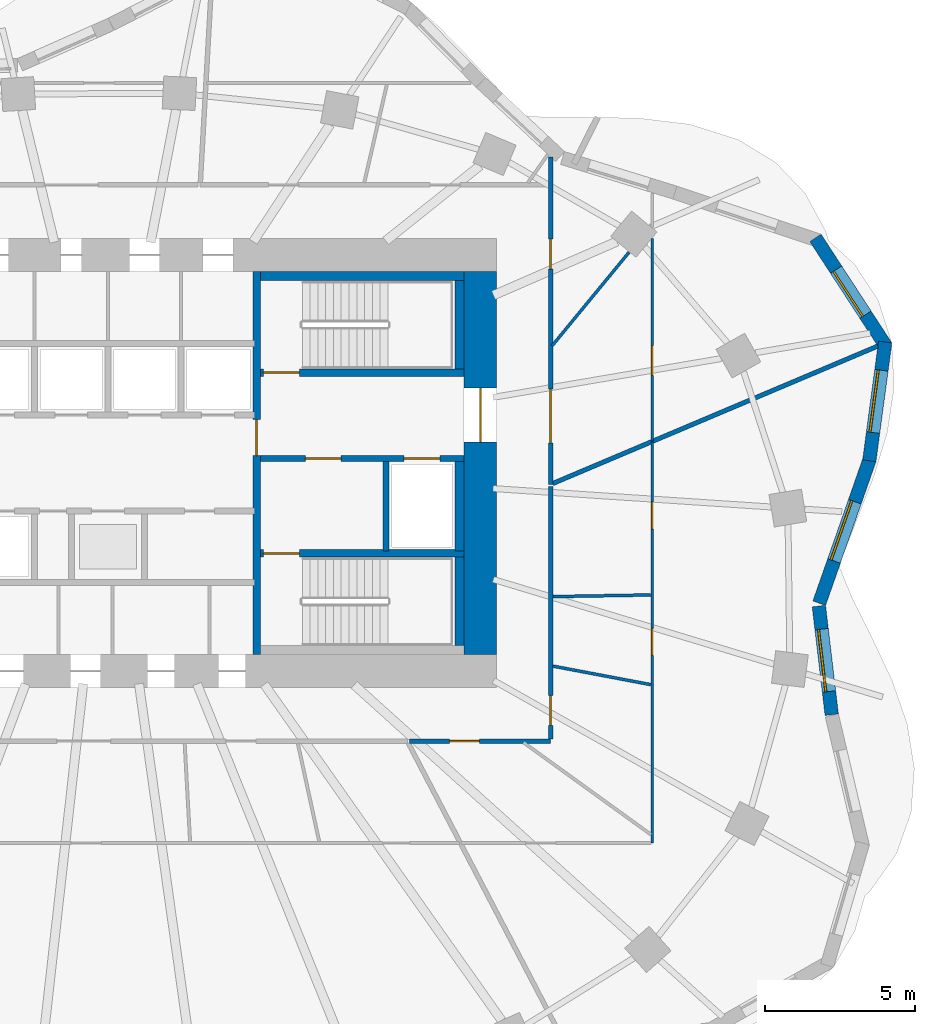
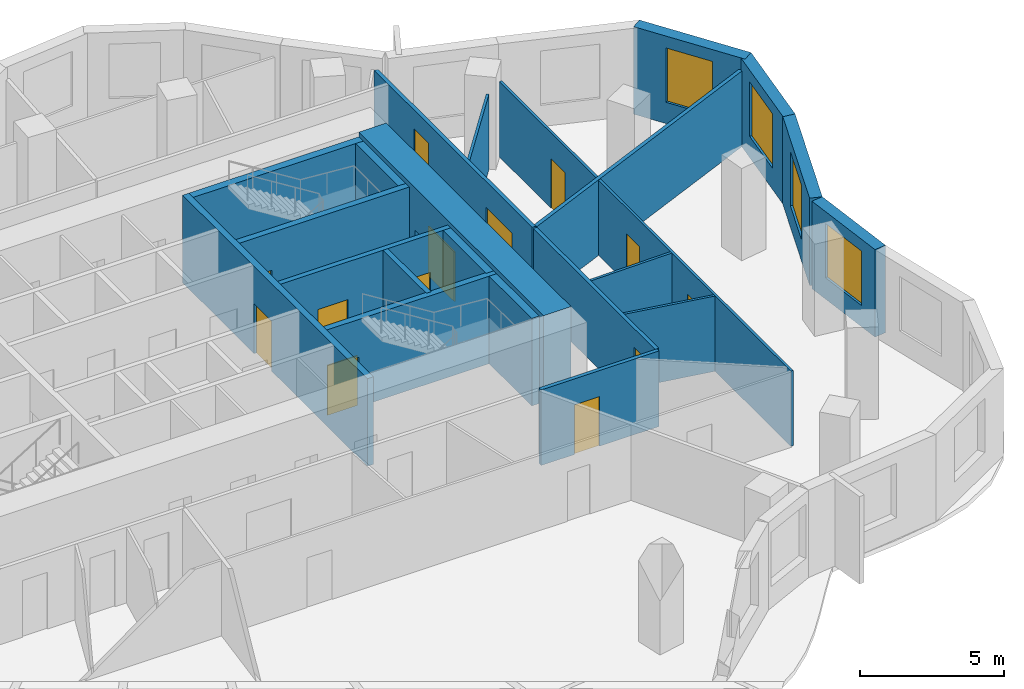
# One storey, part 6 of 10: 23 walls, 13 doors, 4 windows, 17 openings.
"""IFC4 building model written with IfcOpenShell, lengths in metres."""

from ifc_helpers import new_model, si_unit, direction, frame, frame_2d, origin, place, context, subcontext, project, spatial, rectangle, extrude, material, layer, layer_set, type_object, element, fill, save


model = new_model("IFC4")

# Units and contexts
model_context = context("Model", 3, precision=1e-05, world=origin(), true_north=direction((0.0, 1.0)))
body_context = subcontext(model_context, "Body", "Model", "MODEL_VIEW")
ifc_project = project(units=[si_unit("LENGTHUNIT", "METRE"), si_unit("AREAUNIT", "SQUARE_METRE"), si_unit("VOLUMEUNIT", "CUBIC_METRE"), si_unit("PLANEANGLEUNIT", "RADIAN"), si_unit("MASSUNIT", "GRAM", prefix="KILO")], contexts=[model_context])

# Site, building, storey
site_placement = place(None, origin())
site = spatial("IfcSite", under=ifc_project, at=site_placement, CompositionType="ELEMENT")
building_placement = place(site_placement, origin())
building = spatial("IfcBuilding", under=site, at=building_placement, Name="Rubra Terraces Tower", CompositionType="ELEMENT")
storey_placement = place(building_placement, frame((0.0, 0.0, 134.39990234375)))
storey = spatial("IfcBuildingStorey", under=building, at=storey_placement, Name="L32", CompositionType="ELEMENT", Elevation=134.39990234375)

# Wall, opening, window
ifc_material_1 = material(Name="Brick masonry red-brown", Category="masonry")
ifc_layer_1 = layer(ifc_material_1, 0.449951171875)
ifc_layer_set_1 = layer_set([ifc_layer_1], Name="Brick masonry red-brown")
wall_type_1 = type_object("IfcWallType", Name="Brick facade wall 450", PredefinedType="SOLIDWALL", material=ifc_layer_set_1)
wall_1_placement = place(storey_placement, frame((23.782470703125, -0.189208984375, 0.0), z_axis=(0.0, 0.0, 1.0), x_axis=(0.330794307703, 0.943702880144, 0.0)))
wall_1 = element("IfcWall", 1, at=wall_1_placement, inside=storey, type_object=wall_type_1, Name="Facade wall L32 bay 1", PredefinedType="SOLIDWALL", context=body_context, shape_type="SweptSolid", body=[
    extrude(rectangle(XDim=5.095458984375, YDim=0.449951171875, at=frame_2d((2.5478515625, 0.0))), origin(), (0.0, 0.0, 1.0), 3.7001953125),
])
opening_1_placement = place(wall_1_placement, frame((1.497802734375, 0.0, 0.89990234375)))
opening_1 = element("IfcOpeningElement", 2, at=opening_1_placement, cuts=wall_1, Name="Opening W1B", PredefinedType="OPENING", context=body_context, shape_type="SweptSolid", body=[
    extrude(rectangle(XDim=2.10009765625, YDim=2.300048828125, at=frame_2d((1.050048828125, 1.14990234375))), frame((0.0, 0.23486328125, 0.0), z_axis=(0.0, -1.0, 0.0), x_axis=(1.0, 0.0, 0.0)), (0.0, 0.0, 1.0), 0.469970703125),
])
ifc_material_2 = material(Name="Clear glass in aluminium frame", Category="aluminium")
window_type_1 = type_object("IfcWindowType", Name="Fixed deep-set window tall storey 2100 x 2300", PartitioningType="SINGLE_PANEL", PredefinedType="WINDOW", material=ifc_material_2)
window_1_placement = place(opening_1_placement, origin())
window_1 = element("IfcWindow", 3, at=window_1_placement, inside=storey, type_object=window_type_1, Name="Window L32 bay 1", OverallHeight=2.300048828125, OverallWidth=2.10009765625, PartitioningType="SINGLE_PANEL", PredefinedType="WINDOW", context=body_context, shape_type="SweptSolid", body=[
    extrude(rectangle(XDim=2.10009765625, YDim=2.300048828125, at=frame_2d((1.050048828125, 1.14990234375))), frame((0.0, 0.135009765625, 0.0), z_axis=(0.0, -1.0, 0.0), x_axis=(1.0, 0.0, 0.0)), (0.0, 0.0, 1.0), 0.06005859375),
])
fill(opening_1, window_1)

wall_2_placement = place(storey_placement, frame((25.457275390625, 4.57470703125, 0.0), z_axis=(0.0, 0.0, 1.0), x_axis=(0.132475046402, 0.991186340746, 0.0)))
wall_2 = element("IfcWall", 4, at=wall_2_placement, inside=storey, type_object=wall_type_1, Name="Facade wall L32 bay 2", PredefinedType="SOLIDWALL", context=body_context, shape_type="SweptSolid", body=[
    extrude(rectangle(XDim=4.006591796875, YDim=0.449951171875, at=frame_2d((2.00341796875, 0.0))), origin(), (0.0, 0.0, 1.0), 3.7001953125),
])
opening_2_placement = place(wall_2_placement, frame((0.953125, 0.0, 0.89990234375)))
opening_2 = element("IfcOpeningElement", 5, at=opening_2_placement, cuts=wall_2, Name="Opening W1B", PredefinedType="OPENING", context=body_context, shape_type="SweptSolid", body=[
    extrude(rectangle(XDim=2.10009765625, YDim=2.300048828125, at=frame_2d((1.050048828125, 1.14990234375))), frame((0.0, 0.23486328125, 0.0), z_axis=(0.0, -1.0, 0.0), x_axis=(1.0, 0.0, 0.0)), (0.0, 0.0, 1.0), 0.469970703125),
])
window_2_placement = place(opening_2_placement, origin())
window_2 = element("IfcWindow", 6, at=window_2_placement, inside=storey, type_object=window_type_1, Name="Window L32 bay 2", OverallHeight=2.300048828125, OverallWidth=2.10009765625, PartitioningType="SINGLE_PANEL", PredefinedType="WINDOW", context=body_context, shape_type="SweptSolid", body=[
    extrude(rectangle(XDim=2.10009765625, YDim=2.300048828125, at=frame_2d((1.050048828125, 1.14990234375))), frame((0.0, 0.135009765625, 0.0), z_axis=(0.0, -1.0, 0.0), x_axis=(1.0, 0.0, 0.0)), (0.0, 0.0, 1.0), 0.06005859375),
])
fill(opening_2, window_2)

wall_3_placement = place(storey_placement, frame((26.0224609375, 8.393310546875, 0.0), z_axis=(0.0, 0.0, 1.0), x_axis=(-0.545637310328, 0.838021435035, 0.0)))
wall_3 = element("IfcWall", 7, at=wall_3_placement, inside=storey, type_object=wall_type_1, Name="Facade wall L32 bay 3", PredefinedType="SOLIDWALL", context=body_context, shape_type="SweptSolid", body=[
    extrude(rectangle(XDim=4.336181640625, YDim=0.449951171875, at=frame_2d((2.16796875, 0.0))), origin(), (0.0, 0.0, 1.0), 3.7001953125),
])
opening_3_placement = place(wall_3_placement, frame((1.268310546875, 0.0, 0.89990234375)))
opening_3 = element("IfcOpeningElement", 8, at=opening_3_placement, cuts=wall_3, Name="Opening W6B", PredefinedType="OPENING", context=body_context, shape_type="SweptSolid", body=[
    extrude(rectangle(XDim=1.800048828125, YDim=2.300048828125, at=frame_2d((0.89990234375, 1.14990234375))), frame((0.0, 0.23486328125, 0.0), z_axis=(0.0, -1.0, 0.0), x_axis=(1.0, 0.0, 0.0)), (0.0, 0.0, 1.0), 0.469970703125),
])
window_type_2 = type_object("IfcWindowType", Name="Fixed deep-set window at wind fin tall storey 1800 x 2300", PartitioningType="SINGLE_PANEL", PredefinedType="WINDOW", material=ifc_material_2)
window_3_placement = place(opening_3_placement, origin())
window_3 = element("IfcWindow", 9, at=window_3_placement, inside=storey, type_object=window_type_2, Name="Window L32 bay 3", OverallHeight=2.300048828125, OverallWidth=1.800048828125, PartitioningType="SINGLE_PANEL", PredefinedType="WINDOW", context=body_context, shape_type="SweptSolid", body=[
    extrude(rectangle(XDim=1.800048828125, YDim=2.300048828125, at=frame_2d((0.89990234375, 1.14990234375))), frame((0.0, 0.135009765625, 0.0), z_axis=(0.0, -1.0, 0.0), x_axis=(1.0, 0.0, 0.0)), (0.0, 0.0, 1.0), 0.06005859375),
])
fill(opening_3, window_3)

wall_4_placement = place(storey_placement, frame((24.200927734375, -3.915283203125, 0.0), z_axis=(0.0, 0.0, 1.0), x_axis=(-0.117623597589, 0.993058250703, 0.0)))
wall_4 = element("IfcWall", 10, at=wall_4_placement, inside=storey, type_object=wall_type_1, Name="Facade wall L32 bay 40", PredefinedType="SOLIDWALL", context=body_context, shape_type="SweptSolid", body=[
    extrude(rectangle(XDim=3.6572265625, YDim=0.449951171875, at=frame_2d((1.82861328125, 0.0))), origin(), (0.0, 0.0, 1.0), 3.7001953125),
])
opening_4_placement = place(wall_4_placement, frame((0.77880859375, 0.0, 0.89990234375)))
opening_4 = element("IfcOpeningElement", 11, at=opening_4_placement, cuts=wall_4, Name="Opening W1B", PredefinedType="OPENING", context=body_context, shape_type="SweptSolid", body=[
    extrude(rectangle(XDim=2.10009765625, YDim=2.300048828125, at=frame_2d((1.050048828125, 1.14990234375))), frame((0.0, 0.23486328125, 0.0), z_axis=(0.0, -1.0, 0.0), x_axis=(1.0, 0.0, 0.0)), (0.0, 0.0, 1.0), 0.469970703125),
])
window_4_placement = place(opening_4_placement, origin())
window_4 = element("IfcWindow", 12, at=window_4_placement, inside=storey, type_object=window_type_1, Name="Window L32 bay 40", OverallHeight=2.300048828125, OverallWidth=2.10009765625, PartitioningType="SINGLE_PANEL", PredefinedType="WINDOW", context=body_context, shape_type="SweptSolid", body=[
    extrude(rectangle(XDim=2.10009765625, YDim=2.300048828125, at=frame_2d((1.050048828125, 1.14990234375))), frame((0.0, 0.135009765625, 0.0), z_axis=(0.0, -1.0, 0.0), x_axis=(1.0, 0.0, 0.0)), (0.0, 0.0, 1.0), 0.06005859375),
])
fill(opening_4, window_4)

# Wall, opening, door
ifc_material_3 = material(Name="Concrete C60", Category="concrete")
ifc_layer_2 = layer(ifc_material_3, 1.10009765625)
ifc_layer_set_2 = layer_set([ifc_layer_2], Name="Concrete C60")
wall_type_2 = type_object("IfcWallType", Name="CORE WALL 1100 C60", PredefinedType="SHEAR", material=ifc_layer_set_2)
wall_5_placement = place(storey_placement, frame((12.449951171875, -1.89990234375, 0.0), z_axis=(0.0, 0.0, 1.0), x_axis=(0.0, 1.0, 0.0)))
wall_5 = element("IfcWall", 13, at=wall_5_placement, inside=storey, type_object=wall_type_2, Name="CORE WALL E L32", PredefinedType="SHEAR", context=body_context, shape_type="SweptSolid", body=[
    extrude(rectangle(XDim=12.7998046875, YDim=1.10009765625, at=frame_2d((6.39990234375, 0.0))), origin(), (0.0, 0.0, 1.0), 3.900146484375),
])
opening_5_placement = place(wall_5_placement, frame((7.10009765625, 0.0, 0.0)))
opening_5 = element("IfcOpeningElement", 14, at=opening_5_placement, cuts=wall_5, Name="Opening L32.C02", PredefinedType="OPENING", context=body_context, shape_type="SweptSolid", body=[
    extrude(rectangle(XDim=1.800048828125, YDim=2.10009765625, at=frame_2d((0.89990234375, 1.050048828125))), frame((0.0, 0.56005859375, 0.0), z_axis=(0.0, -1.0, 0.0), x_axis=(1.0, 0.0, 0.0)), (0.0, 0.0, 1.0), 1.1201171875),
])
ifc_material_4 = material(Name="Painted steel", Category="steel")
door_type_1 = type_object("IfcDoorType", Name="Fire door 1800x2100 double", OperationType="NOTDEFINED", PredefinedType="DOOR", material=ifc_material_4)
door_1_placement = place(opening_5_placement, origin())
door_1 = element("IfcDoor", 15, at=door_1_placement, inside=storey, type_object=door_type_1, Name="Core entrance door FF2", OperationType="DOUBLE_DOOR_SINGLE_SWING", OverallHeight=2.10009765625, OverallWidth=1.800048828125, PredefinedType="DOOR", context=body_context, shape_type="SweptSolid", body=[
    extrude(rectangle(XDim=1.800048828125, YDim=2.10009765625, at=frame_2d((0.89990234375, 1.050048828125))), frame((0.0, 0.02490234375, 0.0), z_axis=(0.0, -1.0, 0.0), x_axis=(1.0, 0.0, 0.0)), (0.0, 0.0, 1.0), 0.050048828125),
])
fill(opening_5, door_1)

# Wall, openings, doors
ifc_material_5 = material(Name="Plasterboard on steel stud, mineral wool infill", Category="steel")
ifc_layer_3 = layer(ifc_material_5, 0.14990234375)
ifc_layer_set_3 = layer_set([ifc_layer_3], Name="Plasterboard on steel stud, mineral wool infill")
wall_type_3 = type_object("IfcWallType", Name="CORRIDOR PARTITION 150", PredefinedType="PARTITIONING", material=ifc_layer_set_3)
wall_6_placement = place(storey_placement, frame((14.800048828125, 3.78369140625, 0.0), z_axis=(0.0, 0.0, 1.0), x_axis=(0.0, 1.0, 0.0)))
wall_6 = element("IfcWall", 16, at=wall_6_placement, inside=storey, type_object=wall_type_3, Name="PARTITION", PredefinedType="PARTITIONING", context=body_context, shape_type="SweptSolid", body=[
    extrude(rectangle(XDim=10.943115234375, YDim=0.14990234375, at=frame_2d((5.4716796875, 0.0))), origin(), (0.0, 0.0, 1.0), 3.197998046875),
])
opening_6_placement = place(wall_6_placement, frame((1.386962890625, 0.0, 0.0)))
opening_6 = element("IfcOpeningElement", 17, at=opening_6_placement, cuts=wall_6, Name="Opening 32-101", PredefinedType="OPENING", context=body_context, shape_type="SweptSolid", body=[
    extrude(rectangle(XDim=1.800048828125, YDim=2.10009765625, at=frame_2d((0.89990234375, 1.050048828125))), frame((0.0, 0.0849609375, 0.0), z_axis=(0.0, -1.0, 0.0), x_axis=(1.0, 0.0, 0.0)), (0.0, 0.0, 1.0), 0.169921875),
])
opening_7_placement = place(wall_6_placement, frame((7.198974609375, 0.0, 0.0)))
opening_7 = element("IfcOpeningElement", 18, at=opening_7_placement, cuts=wall_6, Name="Opening 32-103", PredefinedType="OPENING", context=body_context, shape_type="SweptSolid", body=[
    extrude(rectangle(XDim=1.0, YDim=2.39990234375, at=frame_2d((0.5, 1.199951171875))), frame((0.0, 0.0849609375, 0.0), z_axis=(0.0, -1.0, 0.0), x_axis=(1.0, 0.0, 0.0)), (0.0, 0.0, 1.0), 0.169921875),
])
ifc_material_6 = material(Name="Glazed aluminium meeting door leaf", Category="aluminium")
door_type_2 = type_object("IfcDoorType", Name="MEETING ROOM GLAZED DOOR 1000 X 2400", OperationType="SINGLE_SWING_LEFT", PredefinedType="DOOR", material=ifc_material_6)
door_2_placement = place(opening_7_placement, origin())
door_2 = element("IfcDoor", 19, at=door_2_placement, inside=storey, type_object=door_type_2, Name="DOOR 32-103", OperationType="SINGLE_SWING_RIGHT", OverallHeight=2.39990234375, OverallWidth=1.0, PredefinedType="DOOR", context=body_context, shape_type="SweptSolid", body=[
    extrude(rectangle(XDim=1.0, YDim=2.39990234375, at=frame_2d((0.5, 1.199951171875))), frame((0.0, 0.02490234375, 0.0), z_axis=(0.0, -1.0, 0.0), x_axis=(1.0, 0.0, 0.0)), (0.0, 0.0, 1.0), 0.050048828125),
])
fill(opening_7, door_2)
ifc_material_7 = material(Name="Painted timber door leaf, double", Category="wood")
door_type_3 = type_object("IfcDoorType", Name="ROOM DOUBLE DOOR 1800 X 2100", OperationType="DOUBLE_DOOR_SINGLE_SWING", PredefinedType="DOOR", material=ifc_material_7)
door_3_placement = place(opening_6_placement, origin())
door_3 = element("IfcDoor", 20, at=door_3_placement, inside=storey, type_object=door_type_3, Name="DOOR 32-101", OperationType="DOUBLE_DOOR_SINGLE_SWING", OverallHeight=2.10009765625, OverallWidth=1.800048828125, PredefinedType="DOOR", context=body_context, shape_type="SweptSolid", body=[
    extrude(rectangle(XDim=1.800048828125, YDim=2.10009765625, at=frame_2d((0.89990234375, 1.050048828125))), frame((0.0, 0.02490234375, 0.0), z_axis=(0.0, -1.0, 0.0), x_axis=(1.0, 0.0, 0.0)), (0.0, 0.0, 1.0), 0.050048828125),
])
fill(opening_6, door_3)

# Wall, opening, door
wall_7_placement = place(storey_placement, frame((10.086181640625, -4.800048828125, 0.0), z_axis=(0.0, 0.0, 1.0), x_axis=(1.0, 0.0, 0.0)))
wall_7 = element("IfcWall", 21, at=wall_7_placement, inside=storey, type_object=wall_type_3, Name="PARTITION", PredefinedType="PARTITIONING", context=body_context, shape_type="SweptSolid", body=[
    extrude(rectangle(XDim=4.7138671875, YDim=0.14990234375, at=frame_2d((2.35693359375, 0.0))), origin(), (0.0, 0.0, 1.0), 3.197998046875),
])
opening_8_placement = place(wall_7_placement, frame((1.3369140625, 0.0, 0.0)))
opening_8 = element("IfcOpeningElement", 22, at=opening_8_placement, cuts=wall_7, Name="Opening 32-119", PredefinedType="OPENING", context=body_context, shape_type="SweptSolid", body=[
    extrude(rectangle(XDim=1.0, YDim=2.10009765625, at=frame_2d((0.5, 1.050048828125))), frame((0.0, 0.0849609375, 0.0), z_axis=(0.0, -1.0, 0.0), x_axis=(1.0, 0.0, 0.0)), (0.0, 0.0, 1.0), 0.169921875),
])
ifc_material_8 = material(Name="Painted timber door leaf", Category="wood")
door_type_4 = type_object("IfcDoorType", Name="ROOM DOOR 1000 X 2100", OperationType="SINGLE_SWING_LEFT", PredefinedType="DOOR", material=ifc_material_8)
door_4_placement = place(opening_8_placement, origin())
door_4 = element("IfcDoor", 23, at=door_4_placement, inside=storey, type_object=door_type_4, Name="DOOR 32-119", OperationType="SINGLE_SWING_RIGHT", OverallHeight=2.10009765625, OverallWidth=1.0, PredefinedType="DOOR", context=body_context, shape_type="SweptSolid", body=[
    extrude(rectangle(XDim=1.0, YDim=2.10009765625, at=frame_2d((0.5, 1.050048828125))), frame((0.0, 0.02490234375, 0.0), z_axis=(0.0, -1.0, 0.0), x_axis=(1.0, 0.0, 0.0)), (0.0, 0.0, 1.0), 0.050048828125),
])
fill(opening_8, door_4)

wall_8_placement = place(storey_placement, frame((14.800048828125, -4.72509765625, 0.0), z_axis=(0.0, 0.0, 1.0), x_axis=(0.0, 1.0, 0.0)))
wall_8 = element("IfcWall", 24, at=wall_8_placement, inside=storey, type_object=wall_type_3, Name="PARTITION", PredefinedType="PARTITIONING", context=body_context, shape_type="SweptSolid", body=[
    extrude(rectangle(XDim=8.433837890625, YDim=0.14990234375, at=frame_2d((4.216796875, 0.0))), origin(), (0.0, 0.0, 1.0), 3.197998046875),
])
opening_9_placement = place(wall_8_placement, frame((0.449951171875, 0.0, 0.0)))
opening_9 = element("IfcOpeningElement", 25, at=opening_9_placement, cuts=wall_8, Name="Opening 32-121", PredefinedType="OPENING", context=body_context, shape_type="SweptSolid", body=[
    extrude(rectangle(XDim=1.0, YDim=2.39990234375, at=frame_2d((0.5, 1.199951171875))), frame((0.0, 0.0849609375, 0.0), z_axis=(0.0, -1.0, 0.0), x_axis=(1.0, 0.0, 0.0)), (0.0, 0.0, 1.0), 0.169921875),
])
door_5_placement = place(opening_9_placement, origin())
door_5 = element("IfcDoor", 26, at=door_5_placement, inside=storey, type_object=door_type_2, Name="DOOR 32-121", OperationType="SINGLE_SWING_RIGHT", OverallHeight=2.39990234375, OverallWidth=1.0, PredefinedType="DOOR", context=body_context, shape_type="SweptSolid", body=[
    extrude(rectangle(XDim=1.0, YDim=2.39990234375, at=frame_2d((0.5, 1.199951171875))), frame((0.0, 0.02490234375, 0.0), z_axis=(0.0, -1.0, 0.0), x_axis=(1.0, 0.0, 0.0)), (0.0, 0.0, 1.0), 0.050048828125),
])
fill(opening_9, door_5)

# Walls
ifc_material_9 = material(Name="Concrete C40", Category="concrete")
ifc_layer_4 = layer(ifc_material_9, 0.300048828125)
ifc_layer_set_4 = layer_set([ifc_layer_4], Name="Concrete C40")
wall_type_4 = type_object("IfcWallType", Name="Core lining wall 300 concrete", PredefinedType="SOLIDWALL", material=ifc_layer_set_4)
wall_9_placement = place(storey_placement, frame((11.89990234375, 10.75, 0.0), z_axis=(0.0, 0.0, 1.0), x_axis=(-1.0, 0.0, 0.0)))
element("IfcWall", 27, at=wall_9_placement, inside=storey, type_object=wall_type_4, Name="CORE LINING WALL L32", PredefinedType="SOLIDWALL", context=body_context, shape_type="SweptSolid", body=[
    extrude(rectangle(XDim=6.7998046875, YDim=0.300048828125, at=frame_2d((3.39990234375, 0.0))), origin(), (0.0, 0.0, 1.0), 3.7001953125),
])
wall_10_placement = place(storey_placement, frame((11.75, 10.60009765625, 0.0), z_axis=(0.0, 0.0, 1.0), x_axis=(0.0, -1.0, 0.0)))
element("IfcWall", 28, at=wall_10_placement, inside=storey, type_object=wall_type_4, Name="CORE LINING WALL L32", PredefinedType="SOLIDWALL", context=body_context, shape_type="SweptSolid", body=[
    extrude(rectangle(XDim=2.9501953125, YDim=0.300048828125, at=frame_2d((1.47509765625, 0.0))), origin(), (0.0, 0.0, 1.0), 3.7001953125),
])
wall_11_placement = place(storey_placement, frame((11.75, 4.550048828125, 0.0), z_axis=(0.0, 0.0, 1.0), x_axis=(0.0, -1.0, 0.0)))
element("IfcWall", 29, at=wall_11_placement, inside=storey, type_object=wall_type_4, Name="CORE LINING WALL L32", PredefinedType="SOLIDWALL", context=body_context, shape_type="SweptSolid", body=[
    extrude(rectangle(XDim=3.0, YDim=0.300048828125, at=frame_2d((1.5, 0.0))), origin(), (0.0, 0.0, 1.0), 3.7001953125),
])
wall_12_placement = place(storey_placement, frame((11.75, 1.35009765625, 0.0), z_axis=(0.0, 0.0, 1.0), x_axis=(0.0, -1.0, 0.0)))
element("IfcWall", 30, at=wall_12_placement, inside=storey, type_object=wall_type_4, Name="CORE LINING WALL L32", PredefinedType="SOLIDWALL", context=body_context, shape_type="SweptSolid", body=[
    extrude(rectangle(XDim=2.9501953125, YDim=0.300048828125, at=frame_2d((1.47509765625, 0.0))), origin(), (0.0, 0.0, 1.0), 3.7001953125),
])

# Wall, openings, doors
ifc_material_10 = material(Name="Concrete C30", Category="concrete")
ifc_layer_5 = layer(ifc_material_10, 0.199951171875)
ifc_layer_set_5 = layer_set([ifc_layer_5], Name="Concrete C30")
wall_type_5 = type_object("IfcWallType", Name="Core wall 200 concrete", PredefinedType="SOLIDWALL", material=ifc_layer_set_5)
wall_13_placement = place(storey_placement, frame((11.89990234375, 4.64990234375, 0.0), z_axis=(0.0, 0.0, 1.0), x_axis=(-1.0, 0.0, 0.0)))
wall_13 = element("IfcWall", 31, at=wall_13_placement, inside=storey, type_object=wall_type_5, Name="STAIR WALL L32", PredefinedType="SOLIDWALL", context=body_context, shape_type="SweptSolid", body=[
    extrude(rectangle(XDim=6.7998046875, YDim=0.199951171875, at=frame_2d((3.39990234375, 0.0))), origin(), (0.0, 0.0, 1.0), 3.7001953125),
])
opening_10_placement = place(wall_13_placement, frame((4.10009765625, 0.0, 0.0)))
opening_10 = element("IfcOpeningElement", 32, at=opening_10_placement, cuts=wall_13, Name="Opening L32.C06", PredefinedType="OPENING", context=body_context, shape_type="SweptSolid", body=[
    extrude(rectangle(XDim=1.199951171875, YDim=2.10009765625, at=frame_2d((0.60009765625, 1.050048828125))), frame((0.0, 0.10986328125, 0.0), z_axis=(0.0, -1.0, 0.0), x_axis=(1.0, 0.0, 0.0)), (0.0, 0.0, 1.0), 0.219970703125),
])
opening_11_placement = place(wall_13_placement, frame((0.800048828125, 0.0, 0.0)))
opening_11 = element("IfcOpeningElement", 33, at=opening_11_placement, cuts=wall_13, Name="Opening L32.C12", PredefinedType="OPENING", context=body_context, shape_type="SweptSolid", body=[
    extrude(rectangle(XDim=1.199951171875, YDim=2.10009765625, at=frame_2d((0.60009765625, 1.050048828125))), frame((0.0, 0.10986328125, 0.0), z_axis=(0.0, -1.0, 0.0), x_axis=(1.0, 0.0, 0.0)), (0.0, 0.0, 1.0), 0.219970703125),
])
door_type_5 = type_object("IfcDoorType", Name="Fire door 1200x2100 single", OperationType="NOTDEFINED", PredefinedType="DOOR", material=ifc_material_4)
door_6_placement = place(opening_10_placement, origin())
door_6 = element("IfcDoor", 34, at=door_6_placement, inside=storey, type_object=door_type_5, Name="Stair vestibule door S4", OperationType="SINGLE_SWING_RIGHT", OverallHeight=2.10009765625, OverallWidth=1.199951171875, PredefinedType="DOOR", context=body_context, shape_type="SweptSolid", body=[
    extrude(rectangle(XDim=1.199951171875, YDim=2.10009765625, at=frame_2d((0.60009765625, 1.050048828125))), frame((0.0, 0.02490234375, 0.0), z_axis=(0.0, -1.0, 0.0), x_axis=(1.0, 0.0, 0.0)), (0.0, 0.0, 1.0), 0.050048828125),
])
fill(opening_10, door_6)
ifc_material_11 = material(Name="Stainless steel", Category="steel")
door_type_6 = type_object("IfcDoorType", Name="Lift landing door 1200x2100", OperationType="NOTDEFINED", PredefinedType="DOOR", material=ifc_material_11)
door_7_placement = place(opening_11_placement, origin())
door_7 = element("IfcDoor", 35, at=door_7_placement, inside=storey, type_object=door_type_6, Name="Landing door FF2", OperationType="SLIDING_TO_RIGHT", OverallHeight=2.10009765625, OverallWidth=1.199951171875, PredefinedType="DOOR", context=body_context, shape_type="SweptSolid", body=[
    extrude(rectangle(XDim=1.199951171875, YDim=2.10009765625, at=frame_2d((0.60009765625, 1.050048828125))), frame((0.0, 0.02490234375, 0.0), z_axis=(0.0, -1.0, 0.0), x_axis=(1.0, 0.0, 0.0)), (0.0, 0.0, 1.0), 0.050048828125),
])
fill(opening_11, door_7)

# Wall
wall_14_placement = place(storey_placement, frame((9.300048828125, 4.550048828125, 0.0), z_axis=(0.0, 0.0, 1.0), x_axis=(0.0, -1.0, 0.0)))
element("IfcWall", 36, at=wall_14_placement, inside=storey, type_object=wall_type_5, Name="STAIR WALL L32", PredefinedType="SOLIDWALL", context=body_context, shape_type="SweptSolid", body=[
    extrude(rectangle(XDim=3.0, YDim=0.199951171875, at=frame_2d((1.5, 0.0))), origin(), (0.0, 0.0, 1.0), 3.7001953125),
])

# Wall, opening, door
ifc_material_12 = material(Name="Plasterboard on steel stud", Category="steel")
ifc_layer_6 = layer(ifc_material_12, 0.10009765625)
ifc_layer_set_6 = layer_set([ifc_layer_6], Name="Plasterboard on steel stud")
wall_type_6 = type_object("IfcWallType", Name="ROOM PARTITION 100", PredefinedType="PARTITIONING", material=ifc_layer_set_6)
wall_15_placement = place(storey_placement, frame((18.199951171875, 12.00146484375, 0.0), z_axis=(0.0, 0.0, 1.0), x_axis=(0.0, -1.0, 0.0)))
wall_15 = element("IfcWall", 37, at=wall_15_placement, inside=storey, type_object=wall_type_6, Name="PARTITION", PredefinedType="PARTITIONING", context=body_context, shape_type="SweptSolid", body=[
    extrude(rectangle(XDim=6.758544921875, YDim=0.10009765625, at=frame_2d((3.37939453125, 0.0))), origin(), (0.0, 0.0, 1.0), 3.18408203125),
])
opening_12_placement = place(wall_15_placement, frame((3.573974609375, 0.0, 0.0)))
opening_12 = element("IfcOpeningElement", 38, at=opening_12_placement, cuts=wall_15, Name="Opening 32-102", PredefinedType="OPENING", context=body_context, shape_type="SweptSolid", body=[
    extrude(rectangle(XDim=1.0, YDim=2.10009765625, at=frame_2d((0.5, 1.050048828125))), frame((0.0, 0.06005859375, 0.0), z_axis=(0.0, -1.0, 0.0), x_axis=(1.0, 0.0, 0.0)), (0.0, 0.0, 1.0), 0.1201171875),
])
door_8_placement = place(opening_12_placement, origin())
door_8 = element("IfcDoor", 39, at=door_8_placement, inside=storey, type_object=door_type_4, Name="DOOR 32-102", OperationType="SINGLE_SWING_LEFT", OverallHeight=2.10009765625, OverallWidth=1.0, PredefinedType="DOOR", context=body_context, shape_type="SweptSolid", body=[
    extrude(rectangle(XDim=1.0, YDim=2.10009765625, at=frame_2d((0.5, 1.050048828125))), frame((0.0, 0.02490234375, 0.0), z_axis=(0.0, -1.0, 0.0), x_axis=(1.0, 0.0, 0.0)), (0.0, 0.0, 1.0), 0.050048828125),
])
fill(opening_12, door_8)

# Wall
wall_16_placement = place(storey_placement, frame((14.84765625, 8.415283203125, 0.0), z_axis=(0.0, 0.0, 1.0), x_axis=(0.63542004032, 0.77216667395, 0.0)))
element("IfcWall", 40, at=wall_16_placement, inside=storey, type_object=wall_type_6, Name="PARTITION", PredefinedType="PARTITIONING", context=body_context, shape_type="SweptSolid", body=[
    extrude(rectangle(XDim=4.052734375, YDim=0.10009765625, at=frame_2d((2.0263671875, 0.0))), origin(), (0.0, 0.0, 1.0), 3.18408203125),
])

# Wall, openings, doors
wall_17_placement = place(storey_placement, frame((18.199951171875, 5.199462890625, 0.0), z_axis=(0.0, 0.0, 1.0), x_axis=(0.0, -1.0, 0.0)))
wall_17 = element("IfcWall", 41, at=wall_17_placement, inside=storey, type_object=wall_type_6, Name="PARTITION", PredefinedType="PARTITIONING", context=body_context, shape_type="SweptSolid", body=[
    extrude(rectangle(XDim=13.3994140625, YDim=0.10009765625, at=frame_2d((6.69970703125, 0.0))), origin(), (0.0, 0.0, 1.0), 3.18408203125),
])
opening_13_placement = place(wall_17_placement, frame((6.22705078125, 0.0, 0.0)))
opening_13 = element("IfcOpeningElement", 42, at=opening_13_placement, cuts=wall_17, Name="Opening 32-122", PredefinedType="OPENING", context=body_context, shape_type="SweptSolid", body=[
    extrude(rectangle(XDim=0.89990234375, YDim=2.10009765625, at=frame_2d((0.449951171875, 1.050048828125))), frame((0.0, 0.06005859375, 0.0), z_axis=(0.0, -1.0, 0.0), x_axis=(1.0, 0.0, 0.0)), (0.0, 0.0, 1.0), 0.1201171875),
])
opening_14_placement = place(wall_17_placement, frame((2.007080078125, 0.0, 0.0)))
opening_14 = element("IfcOpeningElement", 43, at=opening_14_placement, cuts=wall_17, Name="Opening 32-123", PredefinedType="OPENING", context=body_context, shape_type="SweptSolid", body=[
    extrude(rectangle(XDim=0.89990234375, YDim=2.10009765625, at=frame_2d((0.449951171875, 1.050048828125))), frame((0.0, 0.06005859375, 0.0), z_axis=(0.0, -1.0, 0.0), x_axis=(1.0, 0.0, 0.0)), (0.0, 0.0, 1.0), 0.1201171875),
])
door_type_7 = type_object("IfcDoorType", Name="ROOM DOOR 900 X 2100", OperationType="SINGLE_SWING_LEFT", PredefinedType="DOOR", material=ifc_material_8)
door_9_placement = place(opening_13_placement, origin())
door_9 = element("IfcDoor", 44, at=door_9_placement, inside=storey, type_object=door_type_7, Name="DOOR 32-122", OperationType="SINGLE_SWING_LEFT", OverallHeight=2.10009765625, OverallWidth=0.89990234375, PredefinedType="DOOR", context=body_context, shape_type="SweptSolid", body=[
    extrude(rectangle(XDim=0.89990234375, YDim=2.10009765625, at=frame_2d((0.449951171875, 1.050048828125))), frame((0.0, 0.02490234375, 0.0), z_axis=(0.0, -1.0, 0.0), x_axis=(1.0, 0.0, 0.0)), (0.0, 0.0, 1.0), 0.050048828125),
])
fill(opening_13, door_9)
door_10_placement = place(opening_14_placement, origin())
door_10 = element("IfcDoor", 45, at=door_10_placement, inside=storey, type_object=door_type_7, Name="DOOR 32-123", OperationType="SINGLE_SWING_LEFT", OverallHeight=2.10009765625, OverallWidth=0.89990234375, PredefinedType="DOOR", context=body_context, shape_type="SweptSolid", body=[
    extrude(rectangle(XDim=0.89990234375, YDim=2.10009765625, at=frame_2d((0.449951171875, 1.050048828125))), frame((0.0, 0.02490234375, 0.0), z_axis=(0.0, -1.0, 0.0), x_axis=(1.0, 0.0, 0.0)), (0.0, 0.0, 1.0), 0.050048828125),
])
fill(opening_14, door_10)

# Walls
wall_18_placement = place(storey_placement, frame((14.873779296875, -2.289794921875, 0.0), z_axis=(0.0, 0.0, 1.0), x_axis=(0.982563379302, -0.185927958238, 0.0)))
element("IfcWall", 46, at=wall_18_placement, inside=storey, type_object=wall_type_6, Name="PARTITION", PredefinedType="PARTITIONING", context=body_context, shape_type="SweptSolid", body=[
    extrude(rectangle(XDim=3.335205078125, YDim=0.10009765625, at=frame_2d((1.66748046875, 0.0))), origin(), (0.0, 0.0, 1.0), 3.18408203125),
])
wall_19_placement = place(storey_placement, frame((14.875, 0.033203125, 0.0), z_axis=(0.0, 0.0, 1.0), x_axis=(0.999856843244, 0.016920195573, 0.0)))
element("IfcWall", 47, at=wall_19_placement, inside=storey, type_object=wall_type_6, Name="PARTITION", PredefinedType="PARTITIONING", context=body_context, shape_type="SweptSolid", body=[
    extrude(rectangle(XDim=3.275390625, YDim=0.10009765625, at=frame_2d((1.6376953125, 0.0))), origin(), (0.0, 0.0, 1.0), 3.18408203125),
])
ifc_layer_7 = layer(ifc_material_12, 0.14990234375)
ifc_layer_set_7 = layer_set([ifc_layer_7], Name="Plasterboard on steel stud")
wall_type_7 = type_object("IfcWallType", Name="ROOM PARTITION 150", PredefinedType="PARTITIONING", material=ifc_layer_set_7)
wall_20_placement = place(storey_placement, frame((25.738525390625, 8.408447265625, 0.0), z_axis=(0.0, 0.0, 1.0), x_axis=(-0.921062306608, -0.389415237692, 0.0)))
element("IfcWall", 48, at=wall_20_placement, inside=storey, type_object=wall_type_7, Name="PARTITION", PredefinedType="PARTITIONING", context=body_context, shape_type="SweptSolid", body=[
    extrude(rectangle(XDim=11.801025390625, YDim=0.14990234375, at=frame_2d((5.900390625, 0.0))), origin(), (0.0, 0.0, 1.0), 3.197998046875),
])

# Wall, opening, door
ifc_layer_8 = layer(ifc_material_9, 0.25)
ifc_layer_set_8 = layer_set([ifc_layer_8], Name="Concrete C40")
wall_type_8 = type_object("IfcWallType", Name="Stair enclosure wall 250 concrete", PredefinedType="SOLIDWALL", material=ifc_layer_set_8)
wall_21_placement = place(storey_placement, frame((11.89990234375, 7.52490234375, 0.0), z_axis=(0.0, 0.0, 1.0), x_axis=(-1.0, 0.0, 0.0)))
wall_21 = element("IfcWall", 49, at=wall_21_placement, inside=storey, type_object=wall_type_8, Name="STAIR WALL L32", PredefinedType="SOLIDWALL", context=body_context, shape_type="SweptSolid", body=[
    extrude(rectangle(XDim=6.7998046875, YDim=0.25, at=frame_2d((3.39990234375, 0.0))), origin(), (0.0, 0.0, 1.0), 3.7001953125),
])
opening_15_placement = place(wall_21_placement, frame((5.5, 0.0, 0.0)))
opening_15 = element("IfcOpeningElement", 50, at=opening_15_placement, cuts=wall_21, Name="Opening L32.C08", PredefinedType="OPENING", context=body_context, shape_type="SweptSolid", body=[
    extrude(rectangle(XDim=1.199951171875, YDim=2.10009765625, at=frame_2d((0.60009765625, 1.050048828125))), frame((0.0, 0.135009765625, 0.0), z_axis=(0.0, -1.0, 0.0), x_axis=(1.0, 0.0, 0.0)), (0.0, 0.0, 1.0), 0.27001953125),
])
door_11_placement = place(opening_15_placement, origin())
door_11 = element("IfcDoor", 51, at=door_11_placement, inside=storey, type_object=door_type_5, Name="Stair door S3", OperationType="SINGLE_SWING_RIGHT", OverallHeight=2.10009765625, OverallWidth=1.199951171875, PredefinedType="DOOR", context=body_context, shape_type="SweptSolid", body=[
    extrude(rectangle(XDim=1.199951171875, YDim=2.10009765625, at=frame_2d((0.60009765625, 1.050048828125))), frame((0.0, 0.02490234375, 0.0), z_axis=(0.0, -1.0, 0.0), x_axis=(1.0, 0.0, 0.0)), (0.0, 0.0, 1.0), 0.050048828125),
])
fill(opening_15, door_11)

wall_22_placement = place(storey_placement, frame((11.89990234375, 1.47509765625, 0.0), z_axis=(0.0, 0.0, 1.0), x_axis=(-1.0, 0.0, 0.0)))
wall_22 = element("IfcWall", 52, at=wall_22_placement, inside=storey, type_object=wall_type_8, Name="STAIR WALL L32", PredefinedType="SOLIDWALL", context=body_context, shape_type="SweptSolid", body=[
    extrude(rectangle(XDim=6.7998046875, YDim=0.25, at=frame_2d((3.39990234375, 0.0))), origin(), (0.0, 0.0, 1.0), 3.7001953125),
])
opening_16_placement = place(wall_22_placement, frame((5.5, 0.0, 0.0)))
opening_16 = element("IfcOpeningElement", 53, at=opening_16_placement, cuts=wall_22, Name="Opening L32.C10", PredefinedType="OPENING", context=body_context, shape_type="SweptSolid", body=[
    extrude(rectangle(XDim=1.199951171875, YDim=2.10009765625, at=frame_2d((0.60009765625, 1.050048828125))), frame((0.0, 0.135009765625, 0.0), z_axis=(0.0, -1.0, 0.0), x_axis=(1.0, 0.0, 0.0)), (0.0, 0.0, 1.0), 0.27001953125),
])
door_12_placement = place(opening_16_placement, origin())
door_12 = element("IfcDoor", 54, at=door_12_placement, inside=storey, type_object=door_type_5, Name="Stair door S4", OperationType="SINGLE_SWING_RIGHT", OverallHeight=2.10009765625, OverallWidth=1.199951171875, PredefinedType="DOOR", context=body_context, shape_type="SweptSolid", body=[
    extrude(rectangle(XDim=1.199951171875, YDim=2.10009765625, at=frame_2d((0.60009765625, 1.050048828125))), frame((0.0, 0.02490234375, 0.0), z_axis=(0.0, -1.0, 0.0), x_axis=(1.0, 0.0, 0.0)), (0.0, 0.0, 1.0), 0.050048828125),
])
fill(opening_16, door_12)

wall_23_placement = place(storey_placement, frame((4.97509765625, 10.89990234375, 0.0), z_axis=(0.0, 0.0, 1.0), x_axis=(0.0, -1.0, 0.0)))
wall_23 = element("IfcWall", 55, at=wall_23_placement, inside=storey, type_object=wall_type_8, Name="CORE LOBBY WALL L32", PredefinedType="SOLIDWALL", context=body_context, shape_type="SweptSolid", body=[
    extrude(rectangle(XDim=12.7998046875, YDim=0.25, at=frame_2d((6.39990234375, 0.0))), origin(), (0.0, 0.0, 1.0), 3.7001953125),
])
opening_17_placement = place(wall_23_placement, frame((4.949951171875, 0.0, 0.0)))
opening_17 = element("IfcOpeningElement", 56, at=opening_17_placement, cuts=wall_23, Name="Opening L32.C04", PredefinedType="OPENING", context=body_context, shape_type="SweptSolid", body=[
    extrude(rectangle(XDim=1.199951171875, YDim=2.10009765625, at=frame_2d((0.60009765625, 1.050048828125))), frame((0.0, 0.135009765625, 0.0), z_axis=(0.0, -1.0, 0.0), x_axis=(1.0, 0.0, 0.0)), (0.0, 0.0, 1.0), 0.27001953125),
])
door_13_placement = place(opening_17_placement, origin())
door_13 = element("IfcDoor", 57, at=door_13_placement, inside=storey, type_object=door_type_5, Name="Firefighting lobby door FF2", OperationType="SINGLE_SWING_RIGHT", OverallHeight=2.10009765625, OverallWidth=1.199951171875, PredefinedType="DOOR", context=body_context, shape_type="SweptSolid", body=[
    extrude(rectangle(XDim=1.199951171875, YDim=2.10009765625, at=frame_2d((0.60009765625, 1.050048828125))), frame((0.0, 0.02490234375, 0.0), z_axis=(0.0, -1.0, 0.0), x_axis=(1.0, 0.0, 0.0)), (0.0, 0.0, 1.0), 0.050048828125),
])
fill(opening_17, door_13)

save(model, "model.ifc")
